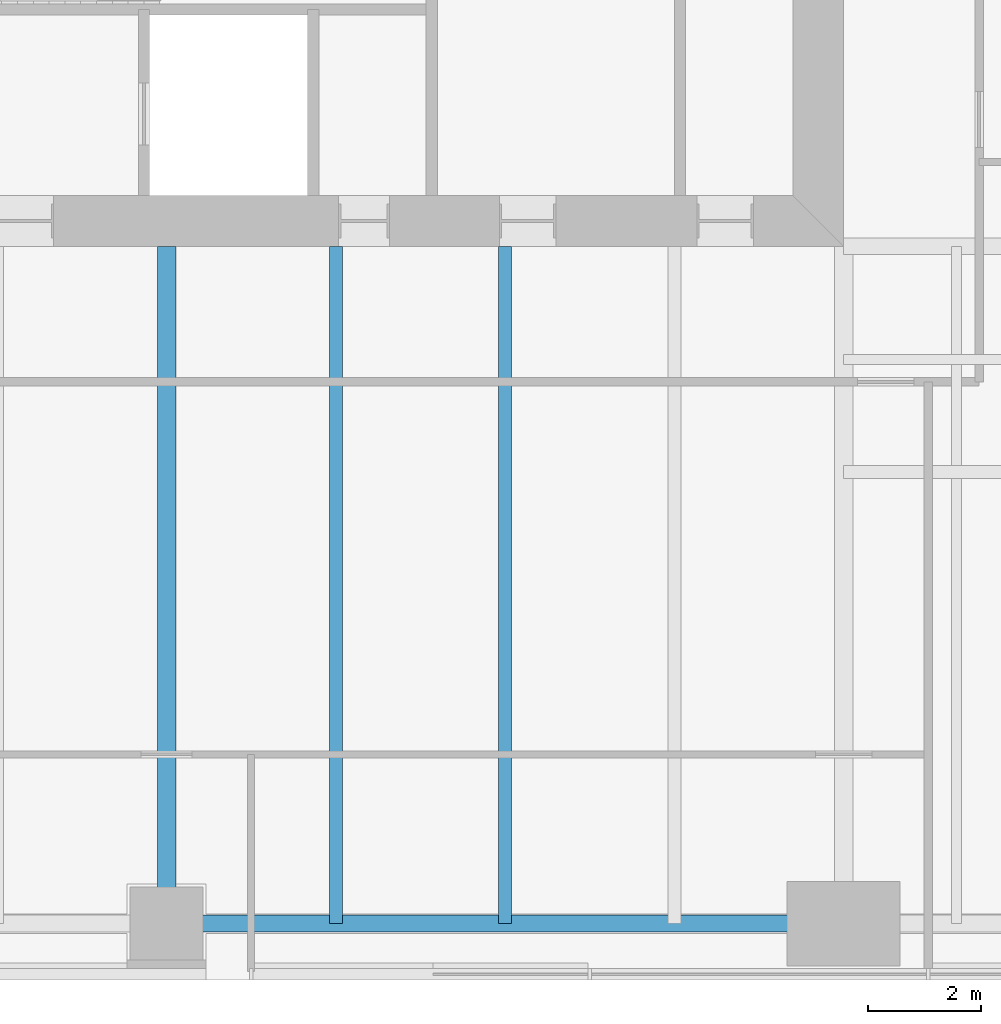
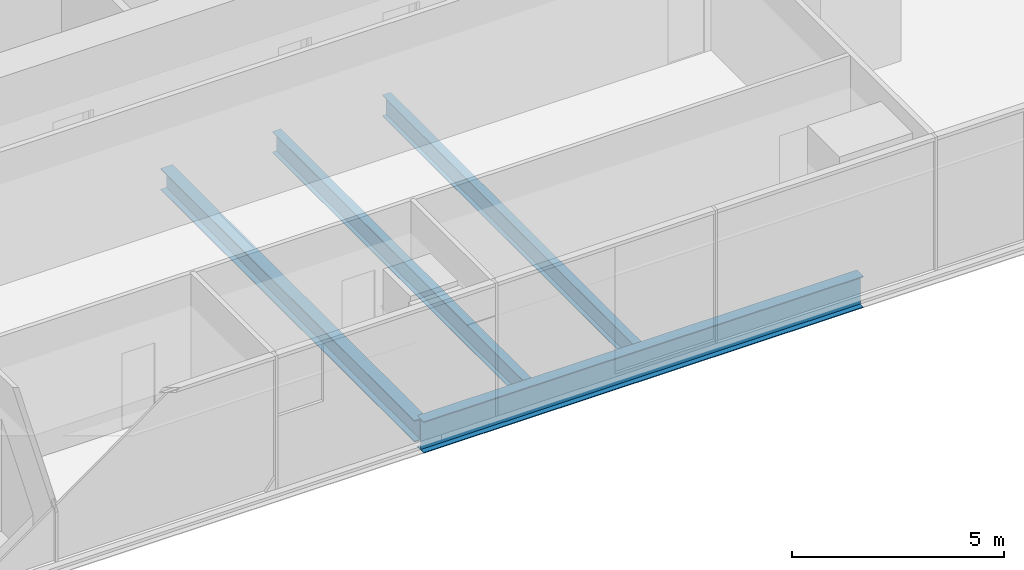
# One storey, part 3 of 13: 4 beams.
"""IFC4 building model written with IfcOpenShell, lengths in metres."""

import ifcopenshell
import ifcopenshell.guid

model = None  # the IFC model being written
_history = None  # IfcOwnerHistory: only IFC2X3 demands one
_inside = {}  # id of a spatial element -> (the spatial element, [elements in it])
_under = {}  # id of a project, library or spatial element -> (it, [spatial elements below it])
_declared = {}  # id of a project -> (the project, [libraries it declares])
_typed = {}  # id of a type object -> (the type object, [elements of that type])
_made_of = {}  # id of a material, layer set ... -> (it, [elements and type objects made of it])


def new_model(schema):
    """Start an empty IFC model of exactly this schema.

    Asked for "IFC4X3", IfcOpenShell would pick the latest addendum, in which some entities
    have other attributes; the version numbers below select the first issue.
    IFC2X3 requires an IfcOwnerHistory on every rooted entity: one is made here for all.
    """
    global model, _history
    if schema == "IFC4X3":
        model = ifcopenshell.file(schema_version=(4, 3, 0, 0))
    else:
        model = ifcopenshell.file(schema=schema)
    _inside.clear()
    _under.clear()
    _declared.clear()
    _typed.clear()
    _made_of.clear()
    _history = None
    if model.schema == "IFC2X3":
        org = make("IfcOrganization", Name="unknown")
        user = make(
            "IfcPersonAndOrganization",
            ThePerson=make("IfcPerson", FamilyName="unknown"),
            TheOrganization=org,
        )
        app = make(
            "IfcApplication",
            ApplicationDeveloper=org,
            Version="unknown",
            ApplicationFullName="unknown",
            ApplicationIdentifier="unknown",
        )
        _history = make(
            "IfcOwnerHistory",
            OwningUser=user,
            OwningApplication=app,
            ChangeAction="ADDED",
            CreationDate=0,
        )
    return model


def make(cls, **values):
    """One entity of the class cls with the attributes given. An attribute that is None is left unset."""
    return model.create_entity(
        cls, **{name: value for name, value in values.items() if value is not None}
    )


def rooted(cls, **values):
    """An entity with a GlobalId (a new one), such as an element, a storey or a relation."""
    return make(cls, GlobalId=ifcopenshell.guid.new(), OwnerHistory=_history, **values)


def si_unit(unit_type, name, prefix=None):
    """IfcSIUnit, for example si_unit("LENGTHUNIT", "METRE", prefix="MILLI")."""
    return make("IfcSIUnit", UnitType=unit_type, Prefix=prefix, Name=name)


def assignment(units):
    """IfcUnitAssignment: the units of a project."""
    return None if units is None else make("IfcUnitAssignment", Units=units)


def point(xyz):
    """IfcCartesianPoint."""
    return None if xyz is None else make("IfcCartesianPoint", Coordinates=xyz)


def direction(xyz):
    """IfcDirection."""
    return None if xyz is None else make("IfcDirection", DirectionRatios=xyz)


def frame(location, z_axis=None, x_axis=None):
    """IfcAxis2Placement3D, a coordinate frame: its origin and axes. An axis left out is left unset."""
    return make(
        "IfcAxis2Placement3D",
        Location=point(location),
        Axis=direction(z_axis),
        RefDirection=direction(x_axis),
    )


def frame_2d(location, x_axis=None):
    """IfcAxis2Placement2D, a coordinate frame in the plane: its origin and x axis."""
    return make(
        "IfcAxis2Placement2D", Location=point(location), RefDirection=direction(x_axis)
    )


def origin():
    """The frame at (0, 0, 0) with its axes left unset."""
    return frame((0.0, 0.0, 0.0))


def origin_2d():
    """The frame at (0, 0) in the plane with its x axis left unset."""
    return frame_2d((0.0, 0.0))


def place(relative_to, where):
    """IfcLocalPlacement: puts the frame where relative to a parent placement (None: the world)."""
    return make(
        "IfcLocalPlacement", PlacementRelTo=relative_to, RelativePlacement=where
    )


def context(
    kind, dimensions, precision=None, world=None, true_north=None, identifier=None
):
    """IfcGeometricRepresentationContext, for example the 3D "Model" context."""
    return make(
        "IfcGeometricRepresentationContext",
        ContextIdentifier=identifier,
        ContextType=kind,
        CoordinateSpaceDimension=dimensions,
        Precision=precision,
        WorldCoordinateSystem=world,
        TrueNorth=true_north,
    )


def subcontext(parent, identifier, kind, view, scale=None):
    """IfcGeometricRepresentationSubContext, for example "Body" below "Model"."""
    return make(
        "IfcGeometricRepresentationSubContext",
        ContextIdentifier=identifier,
        ContextType=kind,
        ParentContext=parent,
        TargetScale=scale,
        TargetView=view,
    )


def project(units=None, contexts=None):
    """IfcProject with its units and contexts."""
    return rooted(
        "IfcProject",
        Name="project",
        RepresentationContexts=contexts,
        UnitsInContext=assignment(units),
    )


def spatial(cls, under=None, at=None, **own):
    """A site, building, storey or space (cls), placed at a placement, below another one or the project."""
    s = rooted(cls, ObjectPlacement=at, **own)
    if under is not None:
        _under.setdefault(under.id(), (under, []))[1].append(s)
    return s


def profile(cls, at=None, kind="AREA", **sizes):
    """A parametric profile (cls). Its sizes go by their IFC names, for example OverallWidth=200.0."""
    return make(cls, ProfileType=kind, Position=at, **sizes)


def i_section(**sizes):
    """IfcIShapeProfileDef."""
    return profile("IfcIShapeProfileDef", **sizes)


def extrude(swept, where, along, depth):
    """IfcExtrudedAreaSolid: the profile swept, set in the frame where, extruded along a direction by depth."""
    return make(
        "IfcExtrudedAreaSolid",
        SweptArea=swept,
        Position=where,
        ExtrudedDirection=direction(along),
        Depth=depth,
    )


def shape(context_of_items, identifier, shape_type, items):
    """IfcShapeRepresentation: the items that make up one representation, for example the "Body"."""
    return make(
        "IfcShapeRepresentation",
        ContextOfItems=context_of_items,
        RepresentationIdentifier=identifier,
        RepresentationType=shape_type,
        Items=items,
    )


def material(Name=None, Category=None):
    """IfcMaterial."""
    return make("IfcMaterial", Name=Name, Category=Category)


def material_profile(
    of_material, cross_section, Name=None, Category=None, Priority=None
):
    """IfcMaterialProfile: a cross section and its material."""
    return make(
        "IfcMaterialProfile",
        Name=Name,
        Material=of_material,
        Profile=cross_section,
        Priority=Priority,
        Category=Category,
    )


def profile_set(profiles, Name=None, composite=None):
    """IfcMaterialProfileSet."""
    return make(
        "IfcMaterialProfileSet",
        Name=Name,
        MaterialProfiles=profiles,
        CompositeProfile=composite,
    )


def made_of(thing, what):
    """Note that an element or type object is made of a material, layer set ...; save() writes the relation."""
    if what is not None:
        _made_of.setdefault(what.id(), (what, []))[1].append(thing)
    return thing


def type_object(cls, material=None, **own):
    """A type object (cls), such as IfcWallType, which elements share."""
    return made_of(rooted(cls, **own), material)


def element(
    cls,
    number,
    at=None,
    inside=None,
    cuts=None,
    type_object=None,
    material=None,
    context=None,
    identifier="Body",
    shape_type=None,
    held_by="IfcProductDefinitionShape",
    body=None,
    shapes=None,
    **own,
):
    """One element of the class cls, such as IfcWall. Its Tag is "e" and its number.

    at: its placement. inside: the storey or other place that contains it. cuts: it is an
    opening in that element (IfcRelVoidsElement). A single representation is given by context,
    identifier, shape_type and body (its items); several are given by shapes. held_by: the class
    of the entity that holds the representations. save() writes the other relations.
    """
    e = rooted(cls, Tag="e%d" % number, ObjectPlacement=at, **own)
    if body is not None:
        shapes = [shape(context, identifier, shape_type, body)]
    if shapes is not None:
        e.Representation = make(held_by, Representations=shapes)
    if inside is not None:
        _inside.setdefault(inside.id(), (inside, []))[1].append(e)
    if cuts is not None:
        rooted(
            "IfcRelVoidsElement", RelatingBuildingElement=cuts, RelatedOpeningElement=e
        )
    if type_object is not None:
        _typed.setdefault(type_object.id(), (type_object, []))[1].append(e)
    return made_of(e, material)


def aggregate(whole, parts):
    """IfcRelAggregates: a whole, such as a stair, and the parts it consists of."""
    return rooted("IfcRelAggregates", RelatingObject=whole, RelatedObjects=parts)


def save(model, path):
    """Write the relations noted so far, then the file.

    IfcRelAggregates (storeys below a building ...), IfcRelContainedInSpatialStructure (elements
    in a storey), IfcRelDefinesByType, IfcRelAssociatesMaterial and IfcRelDeclares: one each for
    every whole, place, type object, material and project.
    """
    for whole, parts in _under.values():
        aggregate(whole, parts)
    for where, things in _inside.values():
        rooted(
            "IfcRelContainedInSpatialStructure",
            RelatedElements=things,
            RelatingStructure=where,
        )
    for kind, things in _typed.values():
        rooted("IfcRelDefinesByType", RelatedObjects=things, RelatingType=kind)
    for what, things in _made_of.values():
        rooted("IfcRelAssociatesMaterial", RelatedObjects=things, RelatingMaterial=what)
    for by, libraries in _declared.values():
        rooted("IfcRelDeclares", RelatingContext=by, RelatedDefinitions=libraries)
    model.write(path)


model = new_model("IFC4")

# Units and contexts
model_context = context("Model", 3, precision=1e-05, world=origin(), true_north=direction((0.0, 1.0)))
body_context = subcontext(model_context, "Body", "Model", "MODEL_VIEW")
ifc_project = project(units=[si_unit("LENGTHUNIT", "METRE"), si_unit("AREAUNIT", "SQUARE_METRE"), si_unit("VOLUMEUNIT", "CUBIC_METRE"), si_unit("PLANEANGLEUNIT", "RADIAN"), si_unit("MASSUNIT", "GRAM", prefix="KILO")], contexts=[model_context])

# Site, building, storey
site_placement = place(None, origin())
site = spatial("IfcSite", under=ifc_project, at=site_placement, CompositionType="ELEMENT")
building_placement = place(site_placement, origin())
building = spatial("IfcBuilding", under=site, at=building_placement, Name="Fenwick Lantern Interchange", CompositionType="ELEMENT")
storey_placement = place(building_placement, frame((0.0, 0.0, 142.39990234375)))
storey = spatial("IfcBuildingStorey", under=building, at=storey_placement, Name="L33", CompositionType="ELEMENT", Elevation=142.39990234375)

# Beams
ifc_material = material(Name="Steel ASTM A992 Grade 50", Category="steel")
ifc_material_profile_1 = material_profile(ifc_material, i_section(OverallWidth=0.3046875, OverallDepth=0.911865234375, WebThickness=0.015869140625, FlangeThickness=0.02392578125, at=origin_2d()), Name="W36X150")
ifc_profile_set_1 = profile_set([ifc_material_profile_1], Name="Steel ASTM A992 Grade 50")
beam_type_1 = type_object("IfcBeamType", Name="EDGE BEAM W36X150", PredefinedType="SPANDREL", material=ifc_profile_set_1)
beam_1_placement = place(storey_placement, frame((25.0, 1.0, -0.605712890625), z_axis=(1.0, 0.0, 0.0), x_axis=(0.0, 1.0, 0.0)))
element("IfcBeam", 1, at=beam_1_placement, inside=storey, type_object=beam_type_1, Name="L33/FR/S/EB3", PredefinedType="SPANDREL", context=body_context, shape_type="SweptSolid", body=[
    extrude(i_section(OverallWidth=0.3046875, OverallDepth=0.911865234375, WebThickness=0.015869140625, FlangeThickness=0.02392578125, at=origin_2d()), origin(), (0.0, 0.0, 1.0), 12.0),
])
ifc_material_profile_2 = material_profile(ifc_material, i_section(OverallWidth=0.22900390625, OverallDepth=0.612060546875, WebThickness=0.011962890625, FlangeThickness=0.01953125, at=origin_2d()), Name="W24X84")
ifc_profile_set_2 = profile_set([ifc_material_profile_2], Name="Steel ASTM A992 Grade 50")
beam_type_2 = type_object("IfcBeamType", Name="FLOOR BEAM W24X84", PredefinedType="BEAM", material=ifc_profile_set_2)
for number, where, z_axis, x_axis, name in (
    (2, (28.0, 1.0, -0.4560546875), (0.0, 1.0, 0.0), (-1.0, 0.0, 0.0), "L33/FR/S/R06"),
    (3, (31.0, 1.0, -0.4560546875), (0.0, 1.0, 0.0), (-1.0, 0.0, 0.0), "L33/FR/S/R07"),
):
    element("IfcBeam", number, at=place(storey_placement, frame(where, z_axis=z_axis, x_axis=x_axis)), inside=storey, type_object=beam_type_2, Name=name, PredefinedType="BEAM", context=body_context, shape_type="SweptSolid", body=[
        extrude(i_section(OverallWidth=0.22900390625, OverallDepth=0.612060546875, WebThickness=0.011962890625, FlangeThickness=0.01953125, at=origin_2d()), origin(), (0.0, 0.0, 1.0), 12.0),
    ])
ifc_material_profile_3 = material_profile(ifc_material, i_section(OverallWidth=0.32763671875, OverallDepth=0.622314453125, WebThickness=0.015380859375, FlangeThickness=0.0244140625, at=origin_2d()), Name="W24X131")
ifc_profile_set_3 = profile_set([ifc_material_profile_3], Name="Steel ASTM A992 Grade 50")
beam_type_3 = type_object("IfcBeamType", Name="MOMENT-CONNECTED GIRDER W24X131", PredefinedType="BEAM", material=ifc_profile_set_3)
beam_2_placement = place(storey_placement, frame((25.0, 1.0, -0.4609375), z_axis=(0.0, 1.0, 0.0), x_axis=(-1.0, 0.0, 0.0)))
element("IfcBeam", 4, at=beam_2_placement, inside=storey, type_object=beam_type_3, Name="L33/FR/S/R05", PredefinedType="BEAM", context=body_context, shape_type="SweptSolid", body=[
    extrude(i_section(OverallWidth=0.32763671875, OverallDepth=0.622314453125, WebThickness=0.015380859375, FlangeThickness=0.0244140625, at=origin_2d()), origin(), (0.0, 0.0, 1.0), 12.0),
])

save(model, "model.ifc")
